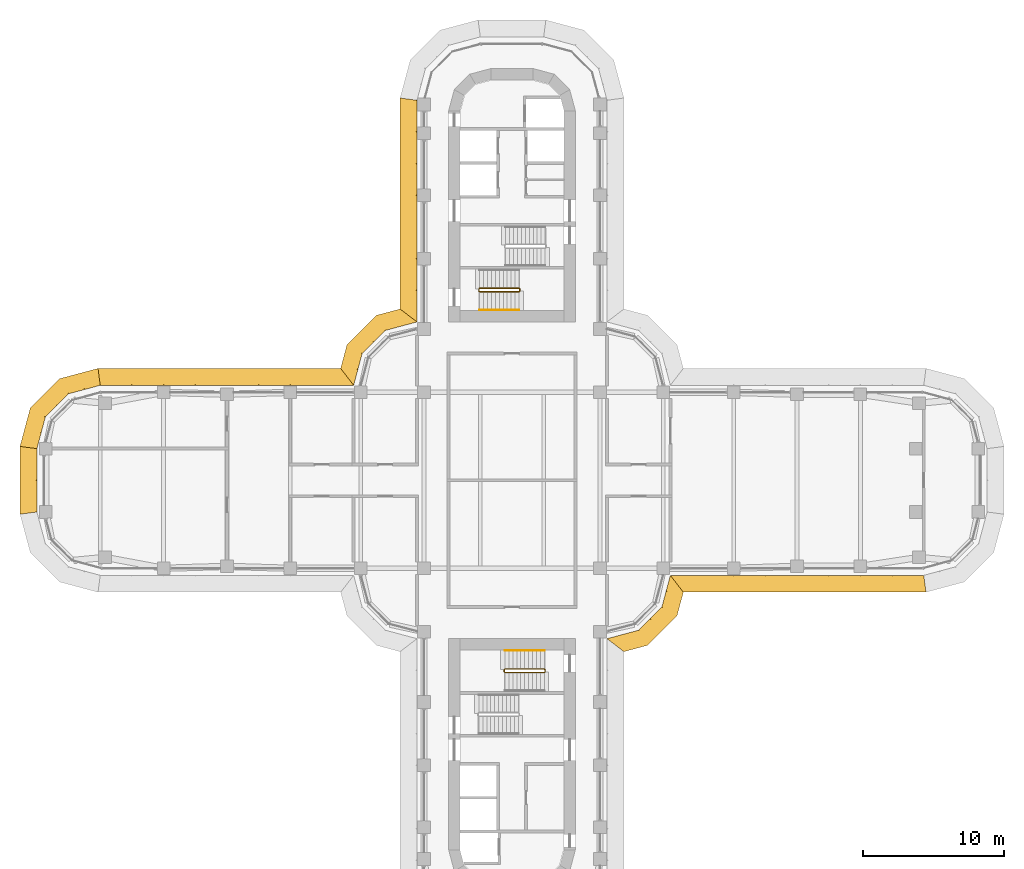
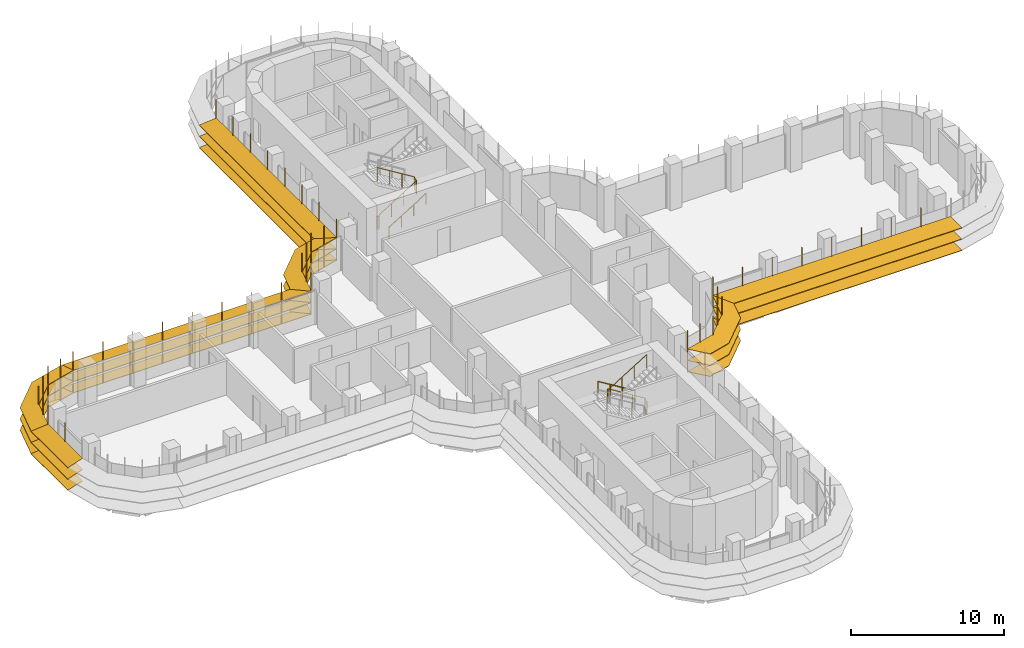
# One storey, part 19 of 21: 7 shading devices, 4 railings.
"""IFC4 building model written with IfcOpenShell, lengths in metres."""

from ifc_helpers import new_model, si_unit, direction, frame, origin, origin_2d, place, context, subcontext, project, spatial, polyline, circle, outline, extrude, faceted_brep, source, transform, mapped, material, type_object, element, save


model = new_model("IFC4")

# Units and contexts
model_context = context("Model", 3, precision=1e-05, world=origin(), true_north=direction((0.0, 1.0)))
body_context = subcontext(model_context, "Body", "Model", "MODEL_VIEW")
ifc_project = project(units=[si_unit("LENGTHUNIT", "METRE"), si_unit("AREAUNIT", "SQUARE_METRE"), si_unit("VOLUMEUNIT", "CUBIC_METRE"), si_unit("PLANEANGLEUNIT", "RADIAN"), si_unit("MASSUNIT", "GRAM", prefix="KILO")], contexts=[model_context])

# Site, building, storey
site_placement = place(None, origin())
site = spatial("IfcSite", under=ifc_project, at=site_placement, CompositionType="ELEMENT")
building_placement = place(site_placement, origin())
building = spatial("IfcBuilding", under=site, at=building_placement, Name="Zarbagh Exchange Tower", CompositionType="ELEMENT")
storey_placement = place(building_placement, frame((0.0, 0.0, 117.0)))
storey = spatial("IfcBuildingStorey", under=building, at=storey_placement, Name="L27", CompositionType="ELEMENT", Elevation=117.0)

# Railings
ifc_material_1 = material(Name="Stainless steel", Category="steel")
railing_type_1 = type_object("IfcRailingType", Name="Stair guard 1100 mm", PredefinedType="GUARDRAIL", material=ifc_material_1)
railing_1_placement = place(storey_placement, frame((-2.35009765625, 13.60009765625, 0.0)))
element("IfcRailing", 1, at=railing_1_placement, inside=storey, type_object=railing_type_1, Name="ST2 stair guard 1", PredefinedType="GUARDRAIL", context=body_context, shape_type="SweptSolid", body=[
    extrude(circle(Radius=0.02392578125, at=origin_2d()), frame((0.0, 0.0, 1.076171875), z_axis=(0.0, -1.0, 0.0), x_axis=(1.0, 0.0, 0.0)), (0.0, 0.0, 1.0), 0.150146484375),
    extrude(circle(Radius=0.02392578125, at=origin_2d()), frame((0.0, -0.150146484375, 1.076171875), z_axis=(0.268277960024, -0.268277960024, 0.925231793839), x_axis=(0.707106781187, 0.707106781187, 0.0)), (0.0, 0.0, 1.0), 0.1865234375),
    extrude(circle(Radius=0.02392578125, at=origin_2d()), frame((0.050048828125, -0.2001953125, 1.24853515625), z_axis=(0.851089632645, 0.0, 0.525020415988), x_axis=(0.0, 1.0, 0.0)), (0.0, 0.0, 1.0), 3.2900390625),
    extrude(circle(Radius=0.02392578125, at=origin_2d()), frame((2.85009765625, -0.2001953125, 2.97607421875), z_axis=(0.707106781187, 0.707106781187, 0.0), x_axis=(-0.707106781187, 0.707106781187, 0.0)), (0.0, 0.0, 1.0), 0.07080078125),
    extrude(circle(Radius=0.02392578125, at=origin_2d()), frame((2.900146484375, -0.150146484375, 2.97607421875), z_axis=(0.0, 1.0, 0.0), x_axis=(-1.0, 0.0, 0.0)), (0.0, 0.0, 1.0), 0.150146484375),
    extrude(circle(Radius=0.02392578125, at=origin_2d()), frame((2.900146484375, 0.0, 2.97607421875), z_axis=(-0.268047150085, 0.266739603011, 0.925743328097), x_axis=(-0.705375805398, -0.708833529934, 0.0)), (0.0, 0.0, 1.0), 0.186767578125),
    extrude(circle(Radius=0.02392578125, at=origin_2d()), frame((2.85009765625, 0.0498046875, 3.14892578125), z_axis=(-0.851089632645, 0.0, 0.525020415988), x_axis=(0.0, -1.0, 0.0)), (0.0, 0.0, 1.0), 3.2900390625),
    extrude(circle(Radius=0.02099609375, at=origin_2d()), origin(), (0.0, 0.0, 1.0), 1.052001953125),
    extrude(circle(Radius=0.02099609375, at=origin_2d()), frame((0.0, -0.150146484375, 0.0)), (0.0, 0.0, 1.0), 1.052001953125),
    extrude(circle(Radius=0.02099609375, at=origin_2d()), frame((0.050048828125, -0.2001953125, 0.172607421875)), (0.0, 0.0, 1.0), 1.052001953125),
    extrude(circle(Radius=0.02099609375, at=origin_2d()), frame((0.9833984375, -0.2001953125, 0.748291015625)), (0.0, 0.0, 1.0), 1.052001953125),
    extrude(circle(Radius=0.02099609375, at=origin_2d()), frame((1.916748046875, -0.2001953125, 1.32421875)), (0.0, 0.0, 1.0), 1.052001953125),
    extrude(circle(Radius=0.02099609375, at=origin_2d()), frame((2.85009765625, -0.2001953125, 1.89990234375)), (0.0, 0.0, 1.0), 1.052001953125),
    extrude(circle(Radius=0.02099609375, at=origin_2d()), frame((2.900146484375, -0.150146484375, 1.89990234375)), (0.0, 0.0, 1.0), 1.052001953125),
    extrude(circle(Radius=0.02099609375, at=origin_2d()), frame((2.900146484375, 0.0, 1.89990234375)), (0.0, 0.0, 1.0), 1.052001953125),
    extrude(circle(Radius=0.02099609375, at=origin_2d()), frame((2.85009765625, 0.0498046875, 2.07275390625)), (0.0, 0.0, 1.0), 1.052001953125),
    extrude(circle(Radius=0.02099609375, at=origin_2d()), frame((1.916748046875, 0.0498046875, 2.6484375)), (0.0, 0.0, 1.0), 1.052001953125),
    extrude(circle(Radius=0.02099609375, at=origin_2d()), frame((0.9833984375, 0.0498046875, 3.224365234375)), (0.0, 0.0, 1.0), 1.052001953125),
    extrude(circle(Radius=0.02099609375, at=origin_2d()), frame((0.050048828125, 0.0498046875, 3.800048828125)), (0.0, 0.0, 1.0), 1.052001953125),
])
railing_2_placement = place(storey_placement, frame((2.35009765625, -13.60009765625, 0.0)))
element("IfcRailing", 2, at=railing_2_placement, inside=storey, type_object=railing_type_1, Name="ST4 stair guard 1", PredefinedType="GUARDRAIL", context=body_context, shape_type="SweptSolid", body=[
    extrude(circle(Radius=0.02392578125, at=origin_2d()), frame((0.0, 0.0, 1.076171875), z_axis=(0.0, 1.0, 0.0), x_axis=(-1.0, 0.0, 0.0)), (0.0, 0.0, 1.0), 0.150146484375),
    extrude(circle(Radius=0.02392578125, at=origin_2d()), frame((0.0, 0.150146484375, 1.076171875), z_axis=(-0.268277960024, 0.268277960024, 0.925231793839), x_axis=(-0.707106781187, -0.707106781187, 0.0)), (0.0, 0.0, 1.0), 0.1865234375),
    extrude(circle(Radius=0.02392578125, at=origin_2d()), frame((-0.050048828125, 0.2001953125, 1.24853515625), z_axis=(-0.851089632645, 0.0, 0.525020415988), x_axis=(0.0, -1.0, 0.0)), (0.0, 0.0, 1.0), 3.2900390625),
    extrude(circle(Radius=0.02392578125, at=origin_2d()), frame((-2.85009765625, 0.2001953125, 2.97607421875), z_axis=(-0.707106781187, -0.707106781187, 0.0), x_axis=(0.707106781187, -0.707106781187, 0.0)), (0.0, 0.0, 1.0), 0.07080078125),
    extrude(circle(Radius=0.02392578125, at=origin_2d()), frame((-2.900146484375, 0.150146484375, 2.97607421875), z_axis=(0.0, -1.0, 0.0), x_axis=(1.0, 0.0, 0.0)), (0.0, 0.0, 1.0), 0.150146484375),
    extrude(circle(Radius=0.02392578125, at=origin_2d()), frame((-2.900146484375, 0.0, 2.97607421875), z_axis=(0.268047150085, -0.266739603011, 0.925743328097), x_axis=(0.705375805398, 0.708833529934, 0.0)), (0.0, 0.0, 1.0), 0.186767578125),
    extrude(circle(Radius=0.02392578125, at=origin_2d()), frame((-2.85009765625, -0.0498046875, 3.14892578125), z_axis=(0.851089632645, 0.0, 0.525020415988), x_axis=(0.0, 1.0, 0.0)), (0.0, 0.0, 1.0), 3.2900390625),
    extrude(circle(Radius=0.02099609375, at=origin_2d()), origin(), (0.0, 0.0, 1.0), 1.052001953125),
    extrude(circle(Radius=0.02099609375, at=origin_2d()), frame((0.0, 0.150146484375, 0.0)), (0.0, 0.0, 1.0), 1.052001953125),
    extrude(circle(Radius=0.02099609375, at=origin_2d()), frame((-0.050048828125, 0.2001953125, 0.172607421875)), (0.0, 0.0, 1.0), 1.052001953125),
    extrude(circle(Radius=0.02099609375, at=origin_2d()), frame((-0.9833984375, 0.2001953125, 0.748291015625)), (0.0, 0.0, 1.0), 1.052001953125),
    extrude(circle(Radius=0.02099609375, at=origin_2d()), frame((-1.916748046875, 0.2001953125, 1.32421875)), (0.0, 0.0, 1.0), 1.052001953125),
    extrude(circle(Radius=0.02099609375, at=origin_2d()), frame((-2.85009765625, 0.2001953125, 1.89990234375)), (0.0, 0.0, 1.0), 1.052001953125),
    extrude(circle(Radius=0.02099609375, at=origin_2d()), frame((-2.900146484375, 0.150146484375, 1.89990234375)), (0.0, 0.0, 1.0), 1.052001953125),
    extrude(circle(Radius=0.02099609375, at=origin_2d()), frame((-2.900146484375, 0.0, 1.89990234375)), (0.0, 0.0, 1.0), 1.052001953125),
    extrude(circle(Radius=0.02099609375, at=origin_2d()), frame((-2.85009765625, -0.0498046875, 2.07275390625)), (0.0, 0.0, 1.0), 1.052001953125),
    extrude(circle(Radius=0.02099609375, at=origin_2d()), frame((-1.916748046875, -0.0498046875, 2.6484375)), (0.0, 0.0, 1.0), 1.052001953125),
    extrude(circle(Radius=0.02099609375, at=origin_2d()), frame((-0.9833984375, -0.0498046875, 3.224365234375)), (0.0, 0.0, 1.0), 1.052001953125),
    extrude(circle(Radius=0.02099609375, at=origin_2d()), frame((-0.050048828125, -0.0498046875, 3.800048828125)), (0.0, 0.0, 1.0), 1.052001953125),
])
railing_type_2 = type_object("IfcRailingType", Name="Stair handrail 900 mm", PredefinedType="HANDRAIL", material=ifc_material_1)
railing_3_placement = place(storey_placement, frame((-2.300048828125, 12.10009765625, 0.172607421875)))
element("IfcRailing", 3, at=railing_3_placement, inside=storey, type_object=railing_type_2, Name="ST2 stair handrail 1", PredefinedType="HANDRAIL", context=body_context, shape_type="SweptSolid", body=[
    extrude(circle(Radius=0.02392578125, at=origin_2d()), frame((0.0, 0.0, 0.8759765625), z_axis=(0.851089632645, 0.0, 0.525020415988), x_axis=(0.0, 1.0, 0.0)), (0.0, 0.0, 1.0), 3.2900390625),
    extrude(circle(Radius=0.02099609375, at=origin_2d()), origin(), (0.0, 0.0, 1.0), 0.851806640625),
    extrude(circle(Radius=0.02099609375, at=origin_2d()), frame((0.933349609375, 0.0, 0.57568359375)), (0.0, 0.0, 1.0), 0.851806640625),
    extrude(circle(Radius=0.02099609375, at=origin_2d()), frame((1.86669921875, 0.0, 1.151611328125)), (0.0, 0.0, 1.0), 0.851806640625),
    extrude(circle(Radius=0.02099609375, at=origin_2d()), frame((2.800048828125, 0.0, 1.727294921875)), (0.0, 0.0, 1.0), 0.851806640625),
])
railing_4_placement = place(storey_placement, frame((2.300048828125, -12.10009765625, 0.172607421875)))
element("IfcRailing", 4, at=railing_4_placement, inside=storey, type_object=railing_type_2, Name="ST4 stair handrail 1", PredefinedType="HANDRAIL", context=body_context, shape_type="SweptSolid", body=[
    extrude(circle(Radius=0.02392578125, at=origin_2d()), frame((0.0, 0.0, 0.8759765625), z_axis=(-0.851089632645, 0.0, 0.525020415988), x_axis=(0.0, -1.0, 0.0)), (0.0, 0.0, 1.0), 3.2900390625),
    extrude(circle(Radius=0.02099609375, at=origin_2d()), origin(), (0.0, 0.0, 1.0), 0.851806640625),
    extrude(circle(Radius=0.02099609375, at=origin_2d()), frame((-0.933349609375, 0.0, 0.57568359375)), (0.0, 0.0, 1.0), 0.851806640625),
    extrude(circle(Radius=0.02099609375, at=origin_2d()), frame((-1.86669921875, 0.0, 1.151611328125)), (0.0, 0.0, 1.0), 0.851806640625),
    extrude(circle(Radius=0.02099609375, at=origin_2d()), frame((-2.800048828125, 0.0, 1.727294921875)), (0.0, 0.0, 1.0), 0.851806640625),
])

# Shading devices
ifc_material_2 = material(Name="Anodised aluminium blades and brackets", Category="aluminium")
shading_device_type = type_object("IfcShadingDeviceType", Name="SUNSHADE louvre band, 11.25 degree blades", PredefinedType="JALOUSIE", material=ifc_material_2)
shared_shape_1 = source(origin(), body_context, "Body", "Brep", [
    faceted_brep([(0.0, 0.0, 0.0), (0.0, 0.0, -0.040771484375), (-0.157958984375, -1.199951171875, -0.279541015625), (-0.157958984375, -1.199951171875, -0.23876953125), (2.65087890625, -1.199951171875, -0.23876953125), (2.65087890625, -1.199951171875, -0.279541015625), (2.329345703125, 0.0, -0.040771484375), (2.329345703125, 0.0, 0.0)], [[[0, 1, 2, 3]], [[4, 5, 6, 7]], [[0, 7, 6, 1]], [[1, 6, 5, 2]], [[2, 5, 4, 3]], [[3, 4, 7, 0]]]),
])
shared_shape_2 = source(origin(), body_context, "Body", "Brep", [
    faceted_brep([(0.0, 0.0, 0.0), (0.0, 0.0, -0.040771484375), (-0.321533203125, -1.199951171875, -0.279541015625), (-0.321533203125, -1.199951171875, -0.23876953125), (2.65087890625, -1.199951171875, -0.23876953125), (2.65087890625, -1.199951171875, -0.279541015625), (2.329345703125, 0.0, -0.040771484375), (2.329345703125, 0.0, 0.0)], [[[0, 1, 2, 3]], [[4, 5, 6, 7]], [[0, 7, 6, 1]], [[1, 6, 5, 2]], [[2, 5, 4, 3]], [[3, 4, 7, 0]]]),
])
shared_shape_3 = source(origin(), body_context, "Body", "Brep", [
    faceted_brep([(0.0, 0.0, 0.0), (0.0, 0.0, -0.040771484375), (-0.321533203125, -1.199951171875, -0.279541015625), (-0.321533203125, -1.199951171875, -0.23876953125), (2.4873046875, -1.199951171875, -0.23876953125), (2.4873046875, -1.199951171875, -0.279541015625), (2.329345703125, 0.0, -0.040771484375), (2.329345703125, 0.0, 0.0)], [[[0, 1, 2, 3]], [[4, 5, 6, 7]], [[0, 7, 6, 1]], [[1, 6, 5, 2]], [[2, 5, 4, 3]], [[3, 4, 7, 0]]]),
])
shared_shape_4 = source(origin(), body_context, "Body", "SweptSolid", [
    extrude(outline(polyline([(0.0, -0.012451171875), (0.06005859375, -0.012451171875), (0.06005859375, 0.012451171875), (0.0, 0.012451171875), (0.0, -0.012451171875)])), origin(), (0.0, 0.0, 1.0), 3.350830078125),
])
placement = place(storey_placement, origin())
element("IfcShadingDevice", 5, at=placement, inside=storey, type_object=shading_device_type, Name="SS17 sunshade band", PredefinedType="JALOUSIE", context=body_context, shape_type="MappedRepresentation", body=[
    mapped(shared_shape_1, transform((-29.25, 6.75, 2.300048828125), x_axis=(-0.965924289636, -0.258824779902, 0.0), y_axis=(0.258824779902, -0.965924289636, 0.0), z_axis=(0.0, 0.0, 1.0))),
    mapped(shared_shape_1, transform((-29.25, 6.75, 1.39990234375), x_axis=(-0.965924289636, -0.258824779902, 0.0), y_axis=(0.258824779902, -0.965924289636, 0.0), z_axis=(0.0, 0.0, 1.0))),
    mapped(shared_shape_1, transform((-29.25, 6.75, 0.5), x_axis=(-0.965924289636, -0.258824779902, 0.0), y_axis=(0.258824779902, -0.965924289636, 0.0), z_axis=(0.0, 0.0, 1.0))),
    mapped(shared_shape_2, transform((-31.5, 6.147216796875, 2.300048828125), x_axis=(-0.707106781187, -0.707106781187, 0.0), y_axis=(0.707106781187, -0.707106781187, 0.0), z_axis=(0.0, 0.0, 1.0))),
    mapped(shared_shape_2, transform((-31.5, 6.147216796875, 1.39990234375), x_axis=(-0.707106781187, -0.707106781187, 0.0), y_axis=(0.707106781187, -0.707106781187, 0.0), z_axis=(0.0, 0.0, 1.0))),
    mapped(shared_shape_2, transform((-31.5, 6.147216796875, 0.5), x_axis=(-0.707106781187, -0.707106781187, 0.0), y_axis=(0.707106781187, -0.707106781187, 0.0), z_axis=(0.0, 0.0, 1.0))),
    mapped(shared_shape_3, transform((-33.147216796875, 4.5, 2.300048828125), x_axis=(-0.258824779902, -0.965924289636, 0.0), y_axis=(0.965924289636, -0.258824779902, 0.0), z_axis=(0.0, 0.0, 1.0))),
    mapped(shared_shape_3, transform((-33.147216796875, 4.5, 1.39990234375), x_axis=(-0.258824779902, -0.965924289636, 0.0), y_axis=(0.965924289636, -0.258824779902, 0.0), z_axis=(0.0, 0.0, 1.0))),
    mapped(shared_shape_3, transform((-33.147216796875, 4.5, 0.5), x_axis=(-0.258824779902, -0.965924289636, 0.0), y_axis=(0.965924289636, -0.258824779902, 0.0), z_axis=(0.0, 0.0, 1.0))),
    mapped(shared_shape_4, transform((-29.25, 6.75, 0.42919921875), x_axis=(-0.130529263012, 0.991444457092, 0.0), y_axis=(-0.991444457092, -0.130529263012, 0.0), z_axis=(0.0, 0.0, 1.0))),
    mapped(shared_shape_4, transform((-30.375, 6.448486328125, 0.42919921875), x_axis=(-0.258825058029, 0.96592421511, 0.0), y_axis=(-0.96592421511, -0.258825058029, 0.0), z_axis=(0.0, 0.0, 1.0))),
    mapped(shared_shape_4, transform((-31.5, 6.147216796875, 0.42919921875), x_axis=(-0.50000275701, 0.866023812018, 0.0), y_axis=(-0.866023812018, -0.50000275701, 0.0), z_axis=(0.0, 0.0, 1.0))),
    mapped(shared_shape_4, transform((-32.323486328125, 5.323486328125, 0.42919921875), x_axis=(-0.707106781187, 0.707106781187, 0.0), y_axis=(-0.707106781187, -0.707106781187, 0.0), z_axis=(0.0, 0.0, 1.0))),
    mapped(shared_shape_4, transform((-33.147216796875, 4.5, 0.42919921875), x_axis=(-0.866023812018, 0.50000275701, 0.0), y_axis=(-0.50000275701, -0.866023812018, 0.0), z_axis=(0.0, 0.0, 1.0))),
    mapped(shared_shape_4, transform((-33.448486328125, 3.375, 0.42919921875), x_axis=(-0.96592421511, 0.258825058029, 0.0), y_axis=(-0.258825058029, -0.96592421511, 0.0), z_axis=(0.0, 0.0, 1.0))),
])
shared_shape_5 = source(origin(), body_context, "Body", "Brep", [
    faceted_brep([(0.0, 0.0, 0.0), (0.0, 0.0, -0.040771484375), (0.9208984375, -1.199951171875, -0.279541015625), (0.9208984375, -1.199951171875, -0.23876953125), (2.65087890625, -1.199951171875, -0.23876953125), (2.65087890625, -1.199951171875, -0.279541015625), (2.329345703125, 0.0, -0.040771484375), (2.329345703125, 0.0, 0.0)], [[[0, 1, 2, 3]], [[4, 5, 6, 7]], [[0, 7, 6, 1]], [[1, 6, 5, 2]], [[2, 5, 4, 3]], [[3, 4, 7, 0]]]),
])
shared_shape_6 = source(origin(), body_context, "Body", "Brep", [
    faceted_brep([(0.0, 0.0, 0.0), (0.0, 0.0, -0.040771484375), (-0.321533203125, -1.199951171875, -0.279541015625), (-0.321533203125, -1.199951171875, -0.23876953125), (1.40869140625, -1.199951171875, -0.23876953125), (1.40869140625, -1.199951171875, -0.279541015625), (2.329345703125, 0.0, -0.040771484375), (2.329345703125, 0.0, 0.0)], [[[0, 1, 2, 3]], [[4, 5, 6, 7]], [[0, 7, 6, 1]], [[1, 6, 5, 2]], [[2, 5, 4, 3]], [[3, 4, 7, 0]]]),
])
element("IfcShadingDevice", 6, at=placement, inside=storey, type_object=shading_device_type, Name="SS03 sunshade band", PredefinedType="JALOUSIE", context=body_context, shape_type="MappedRepresentation", body=[
    mapped(shared_shape_5, transform((6.75, -11.25, 2.300048828125), x_axis=(0.965924289636, 0.258824779902, 0.0), y_axis=(-0.258824779902, 0.965924289636, 0.0), z_axis=(0.0, 0.0, 1.0))),
    mapped(shared_shape_5, transform((6.75, -11.25, 1.39990234375), x_axis=(0.965924289636, 0.258824779902, 0.0), y_axis=(-0.258824779902, 0.965924289636, 0.0), z_axis=(0.0, 0.0, 1.0))),
    mapped(shared_shape_5, transform((6.75, -11.25, 0.5), x_axis=(0.965924289636, 0.258824779902, 0.0), y_axis=(-0.258824779902, 0.965924289636, 0.0), z_axis=(0.0, 0.0, 1.0))),
    mapped(shared_shape_2, transform((9.0, -10.647216796875, 2.300048828125), x_axis=(0.707106781187, 0.707106781187, 0.0), y_axis=(-0.707106781187, 0.707106781187, 0.0), z_axis=(0.0, 0.0, 1.0))),
    mapped(shared_shape_2, transform((9.0, -10.647216796875, 1.39990234375), x_axis=(0.707106781187, 0.707106781187, 0.0), y_axis=(-0.707106781187, 0.707106781187, 0.0), z_axis=(0.0, 0.0, 1.0))),
    mapped(shared_shape_2, transform((9.0, -10.647216796875, 0.5), x_axis=(0.707106781187, 0.707106781187, 0.0), y_axis=(-0.707106781187, 0.707106781187, 0.0), z_axis=(0.0, 0.0, 1.0))),
    mapped(shared_shape_6, transform((10.647216796875, -9.0, 2.300048828125), x_axis=(0.258824779902, 0.965924289636, 0.0), y_axis=(-0.965924289636, 0.258824779902, 0.0), z_axis=(0.0, 0.0, 1.0))),
    mapped(shared_shape_6, transform((10.647216796875, -9.0, 1.39990234375), x_axis=(0.258824779902, 0.965924289636, 0.0), y_axis=(-0.965924289636, 0.258824779902, 0.0), z_axis=(0.0, 0.0, 1.0))),
    mapped(shared_shape_6, transform((10.647216796875, -9.0, 0.5), x_axis=(0.258824779902, 0.965924289636, 0.0), y_axis=(-0.965924289636, 0.258824779902, 0.0), z_axis=(0.0, 0.0, 1.0))),
    mapped(shared_shape_4, transform((6.75, -11.25, 0.42919921875), x_axis=(0.793355287, -0.608758892, 0.0), y_axis=(0.608758892, 0.793355287, 0.0), z_axis=(0.0, 0.0, 1.0))),
    mapped(shared_shape_4, transform((7.875, -10.948486328125, 0.42919921875), x_axis=(0.258825058029, -0.96592421511, 0.0), y_axis=(0.96592421511, 0.258825058029, 0.0), z_axis=(0.0, 0.0, 1.0))),
    mapped(shared_shape_4, transform((9.0, -10.647216796875, 0.42919921875), x_axis=(0.50000275701, -0.866023812018, 0.0), y_axis=(0.866023812018, 0.50000275701, 0.0), z_axis=(0.0, 0.0, 1.0))),
    mapped(shared_shape_4, transform((9.823486328125, -9.823486328125, 0.42919921875), x_axis=(0.707106781187, -0.707106781187, 0.0), y_axis=(0.707106781187, 0.707106781187, 0.0), z_axis=(0.0, 0.0, 1.0))),
    mapped(shared_shape_4, transform((10.647216796875, -9.0, 0.42919921875), x_axis=(0.866023812018, -0.50000275701, 0.0), y_axis=(0.50000275701, 0.866023812018, 0.0), z_axis=(0.0, 0.0, 1.0))),
    mapped(shared_shape_4, transform((10.948486328125, -7.875, 0.42919921875), x_axis=(0.96592421511, -0.258825058029, 0.0), y_axis=(0.258825058029, 0.96592421511, 0.0), z_axis=(0.0, 0.0, 1.0))),
])
element("IfcShadingDevice", 7, at=placement, inside=storey, type_object=shading_device_type, Name="SS15 sunshade band", PredefinedType="JALOUSIE", context=body_context, shape_type="MappedRepresentation", body=[
    mapped(shared_shape_5, transform((-6.75, 11.25, 2.300048828125), x_axis=(-0.965924289636, -0.258824779902, 0.0), y_axis=(0.258824779902, -0.965924289636, 0.0), z_axis=(0.0, 0.0, 1.0))),
    mapped(shared_shape_5, transform((-6.75, 11.25, 1.39990234375), x_axis=(-0.965924289636, -0.258824779902, 0.0), y_axis=(0.258824779902, -0.965924289636, 0.0), z_axis=(0.0, 0.0, 1.0))),
    mapped(shared_shape_5, transform((-6.75, 11.25, 0.5), x_axis=(-0.965924289636, -0.258824779902, 0.0), y_axis=(0.258824779902, -0.965924289636, 0.0), z_axis=(0.0, 0.0, 1.0))),
    mapped(shared_shape_2, transform((-9.0, 10.647216796875, 2.300048828125), x_axis=(-0.707106781187, -0.707106781187, 0.0), y_axis=(0.707106781187, -0.707106781187, 0.0), z_axis=(0.0, 0.0, 1.0))),
    mapped(shared_shape_2, transform((-9.0, 10.647216796875, 1.39990234375), x_axis=(-0.707106781187, -0.707106781187, 0.0), y_axis=(0.707106781187, -0.707106781187, 0.0), z_axis=(0.0, 0.0, 1.0))),
    mapped(shared_shape_2, transform((-9.0, 10.647216796875, 0.5), x_axis=(-0.707106781187, -0.707106781187, 0.0), y_axis=(0.707106781187, -0.707106781187, 0.0), z_axis=(0.0, 0.0, 1.0))),
    mapped(shared_shape_6, transform((-10.647216796875, 9.0, 2.300048828125), x_axis=(-0.258824779902, -0.965924289636, 0.0), y_axis=(0.965924289636, -0.258824779902, 0.0), z_axis=(0.0, 0.0, 1.0))),
    mapped(shared_shape_6, transform((-10.647216796875, 9.0, 1.39990234375), x_axis=(-0.258824779902, -0.965924289636, 0.0), y_axis=(0.965924289636, -0.258824779902, 0.0), z_axis=(0.0, 0.0, 1.0))),
    mapped(shared_shape_6, transform((-10.647216796875, 9.0, 0.5), x_axis=(-0.258824779902, -0.965924289636, 0.0), y_axis=(0.965924289636, -0.258824779902, 0.0), z_axis=(0.0, 0.0, 1.0))),
    mapped(shared_shape_4, transform((-6.75, 11.25, 0.42919921875), x_axis=(-0.793355287, 0.608758892, 0.0), y_axis=(-0.608758892, -0.793355287, 0.0), z_axis=(0.0, 0.0, 1.0))),
    mapped(shared_shape_4, transform((-7.875, 10.948486328125, 0.42919921875), x_axis=(-0.258825058029, 0.96592421511, 0.0), y_axis=(-0.96592421511, -0.258825058029, 0.0), z_axis=(0.0, 0.0, 1.0))),
    mapped(shared_shape_4, transform((-9.0, 10.647216796875, 0.42919921875), x_axis=(-0.50000275701, 0.866023812018, 0.0), y_axis=(-0.866023812018, -0.50000275701, 0.0), z_axis=(0.0, 0.0, 1.0))),
    mapped(shared_shape_4, transform((-9.823486328125, 9.823486328125, 0.42919921875), x_axis=(-0.707106781187, 0.707106781187, 0.0), y_axis=(-0.707106781187, -0.707106781187, 0.0), z_axis=(0.0, 0.0, 1.0))),
    mapped(shared_shape_4, transform((-10.647216796875, 9.0, 0.42919921875), x_axis=(-0.866023812018, 0.50000275701, 0.0), y_axis=(-0.50000275701, -0.866023812018, 0.0), z_axis=(0.0, 0.0, 1.0))),
    mapped(shared_shape_4, transform((-10.948486328125, 7.875, 0.42919921875), x_axis=(-0.96592421511, 0.258825058029, 0.0), y_axis=(-0.258825058029, -0.96592421511, 0.0), z_axis=(0.0, 0.0, 1.0))),
])
shared_shape_7 = source(origin(), body_context, "Body", "Brep", [
    faceted_brep([(0.0, 0.0, 0.0), (0.0, 0.0, -0.040771484375), (0.9208984375, -1.199951171875, -0.279541015625), (0.9208984375, -1.199951171875, -0.23876953125), (18.157958984375, -1.199951171875, -0.23876953125), (18.157958984375, -1.199951171875, -0.279541015625), (18.0, 0.0, -0.040771484375), (18.0, 0.0, 0.0)], [[[0, 1, 2, 3]], [[4, 5, 6, 7]], [[0, 7, 6, 1]], [[1, 6, 5, 2]], [[2, 5, 4, 3]], [[3, 4, 7, 0]]]),
])
element("IfcShadingDevice", 8, at=placement, inside=storey, type_object=shading_device_type, Name="SS04 sunshade band", PredefinedType="JALOUSIE", context=body_context, shape_type="MappedRepresentation", body=[
    mapped(shared_shape_7, transform((11.25, -6.75, 2.300048828125), x_axis=(1.0, 0.0, 0.0), y_axis=(0.0, 1.0, 0.0), z_axis=(0.0, 0.0, 1.0))),
    mapped(shared_shape_7, transform((11.25, -6.75, 1.39990234375), x_axis=(1.0, 0.0, 0.0), y_axis=(0.0, 1.0, 0.0), z_axis=(0.0, 0.0, 1.0))),
    mapped(shared_shape_7, transform((11.25, -6.75, 0.5), x_axis=(1.0, 0.0, 0.0), y_axis=(0.0, 1.0, 0.0), z_axis=(0.0, 0.0, 1.0))),
    mapped(shared_shape_4, transform((11.25, -6.75, 0.42919921875), x_axis=(0.608758892, -0.793355287, 0.0), y_axis=(0.793355287, 0.608758892, 0.0), z_axis=(0.0, 0.0, 1.0))),
    mapped(shared_shape_4, transform((13.5, -6.75, 0.42919921875), x_axis=(0.0, -1.0, 0.0), y_axis=(1.0, 0.0, 0.0), z_axis=(0.0, 0.0, 1.0))),
    mapped(shared_shape_4, transform((15.75, -6.75, 0.42919921875), x_axis=(0.0, -1.0, 0.0), y_axis=(1.0, 0.0, 0.0), z_axis=(0.0, 0.0, 1.0))),
    mapped(shared_shape_4, transform((18.0, -6.75, 0.42919921875), x_axis=(0.0, -1.0, 0.0), y_axis=(1.0, 0.0, 0.0), z_axis=(0.0, 0.0, 1.0))),
    mapped(shared_shape_4, transform((20.25, -6.75, 0.42919921875), x_axis=(0.0, -1.0, 0.0), y_axis=(1.0, 0.0, 0.0), z_axis=(0.0, 0.0, 1.0))),
    mapped(shared_shape_4, transform((22.5, -6.75, 0.42919921875), x_axis=(0.0, -1.0, 0.0), y_axis=(1.0, 0.0, 0.0), z_axis=(0.0, 0.0, 1.0))),
    mapped(shared_shape_4, transform((24.75, -6.75, 0.42919921875), x_axis=(0.0, -1.0, 0.0), y_axis=(1.0, 0.0, 0.0), z_axis=(0.0, 0.0, 1.0))),
    mapped(shared_shape_4, transform((27.0, -6.75, 0.42919921875), x_axis=(0.0, -1.0, 0.0), y_axis=(1.0, 0.0, 0.0), z_axis=(0.0, 0.0, 1.0))),
])
shared_shape_8 = source(origin(), body_context, "Body", "Brep", [
    faceted_brep([(0.0, 0.0, 0.0), (0.0, 0.0, -0.040771484375), (-0.157958984375, -1.199951171875, -0.279541015625), (-0.157958984375, -1.199951171875, -0.23876953125), (14.8291015625, -1.199951171875, -0.23876953125), (14.8291015625, -1.199951171875, -0.279541015625), (15.75, 0.0, -0.040771484375), (15.75, 0.0, 0.0)], [[[0, 1, 2, 3]], [[4, 5, 6, 7]], [[0, 7, 6, 1]], [[1, 6, 5, 2]], [[2, 5, 4, 3]], [[3, 4, 7, 0]]]),
])
element("IfcShadingDevice", 9, at=placement, inside=storey, type_object=shading_device_type, Name="SS29 sunshade band", PredefinedType="JALOUSIE", context=body_context, shape_type="MappedRepresentation", body=[
    mapped(shared_shape_8, transform((-6.75, 27.0, 2.300048828125), x_axis=(0.0, -1.0, 0.0), y_axis=(1.0, 0.0, 0.0), z_axis=(0.0, 0.0, 1.0))),
    mapped(shared_shape_8, transform((-6.75, 27.0, 1.39990234375), x_axis=(0.0, -1.0, 0.0), y_axis=(1.0, 0.0, 0.0), z_axis=(0.0, 0.0, 1.0))),
    mapped(shared_shape_8, transform((-6.75, 27.0, 0.5), x_axis=(0.0, -1.0, 0.0), y_axis=(1.0, 0.0, 0.0), z_axis=(0.0, 0.0, 1.0))),
    mapped(shared_shape_4, transform((-6.75, 27.0, 0.42919921875), x_axis=(-0.991444457092, 0.130529263012, 0.0), y_axis=(-0.130529263012, -0.991444457092, 0.0), z_axis=(0.0, 0.0, 1.0))),
    mapped(shared_shape_4, transform((-6.75, 24.75, 0.42919921875), x_axis=(-1.0, 0.0, 0.0), y_axis=(0.0, -1.0, 0.0), z_axis=(0.0, 0.0, 1.0))),
    mapped(shared_shape_4, transform((-6.75, 22.5, 0.42919921875), x_axis=(-1.0, 0.0, 0.0), y_axis=(0.0, -1.0, 0.0), z_axis=(0.0, 0.0, 1.0))),
    mapped(shared_shape_4, transform((-6.75, 20.25, 0.42919921875), x_axis=(-1.0, 0.0, 0.0), y_axis=(0.0, -1.0, 0.0), z_axis=(0.0, 0.0, 1.0))),
    mapped(shared_shape_4, transform((-6.75, 18.0, 0.42919921875), x_axis=(-1.0, 0.0, 0.0), y_axis=(0.0, -1.0, 0.0), z_axis=(0.0, 0.0, 1.0))),
    mapped(shared_shape_4, transform((-6.75, 15.75, 0.42919921875), x_axis=(-1.0, 0.0, 0.0), y_axis=(0.0, -1.0, 0.0), z_axis=(0.0, 0.0, 1.0))),
    mapped(shared_shape_4, transform((-6.75, 13.5, 0.42919921875), x_axis=(-1.0, 0.0, 0.0), y_axis=(0.0, -1.0, 0.0), z_axis=(0.0, 0.0, 1.0))),
])
element("IfcShadingDevice", 10, at=placement, inside=storey, type_object=shading_device_type, Name="SS16 sunshade band", PredefinedType="JALOUSIE", context=body_context, shape_type="MappedRepresentation", body=[
    mapped(shared_shape_7, transform((-11.25, 6.75, 2.300048828125), x_axis=(-1.0, 0.0, 0.0), y_axis=(0.0, -1.0, 0.0), z_axis=(0.0, 0.0, 1.0))),
    mapped(shared_shape_7, transform((-11.25, 6.75, 1.39990234375), x_axis=(-1.0, 0.0, 0.0), y_axis=(0.0, -1.0, 0.0), z_axis=(0.0, 0.0, 1.0))),
    mapped(shared_shape_7, transform((-11.25, 6.75, 0.5), x_axis=(-1.0, 0.0, 0.0), y_axis=(0.0, -1.0, 0.0), z_axis=(0.0, 0.0, 1.0))),
    mapped(shared_shape_4, transform((-11.25, 6.75, 0.42919921875), x_axis=(-0.608758892, 0.793355287, 0.0), y_axis=(-0.793355287, -0.608758892, 0.0), z_axis=(0.0, 0.0, 1.0))),
    mapped(shared_shape_4, transform((-13.5, 6.75, 0.42919921875), x_axis=(0.0, 1.0, 0.0), y_axis=(-1.0, 0.0, 0.0), z_axis=(0.0, 0.0, 1.0))),
    mapped(shared_shape_4, transform((-15.75, 6.75, 0.42919921875), x_axis=(0.0, 1.0, 0.0), y_axis=(-1.0, 0.0, 0.0), z_axis=(0.0, 0.0, 1.0))),
    mapped(shared_shape_4, transform((-18.0, 6.75, 0.42919921875), x_axis=(0.0, 1.0, 0.0), y_axis=(-1.0, 0.0, 0.0), z_axis=(0.0, 0.0, 1.0))),
    mapped(shared_shape_4, transform((-20.25, 6.75, 0.42919921875), x_axis=(0.0, 1.0, 0.0), y_axis=(-1.0, 0.0, 0.0), z_axis=(0.0, 0.0, 1.0))),
    mapped(shared_shape_4, transform((-22.5, 6.75, 0.42919921875), x_axis=(0.0, 1.0, 0.0), y_axis=(-1.0, 0.0, 0.0), z_axis=(0.0, 0.0, 1.0))),
    mapped(shared_shape_4, transform((-24.75, 6.75, 0.42919921875), x_axis=(0.0, 1.0, 0.0), y_axis=(-1.0, 0.0, 0.0), z_axis=(0.0, 0.0, 1.0))),
    mapped(shared_shape_4, transform((-27.0, 6.75, 0.42919921875), x_axis=(0.0, 1.0, 0.0), y_axis=(-1.0, 0.0, 0.0), z_axis=(0.0, 0.0, 1.0))),
])
shared_shape_9 = source(origin(), body_context, "Body", "Brep", [
    faceted_brep([(0.0, 0.0, 0.0), (0.0, 0.0, -0.040771484375), (-0.157958984375, -1.199951171875, -0.279541015625), (-0.157958984375, -1.199951171875, -0.23876953125), (4.657958984375, -1.199951171875, -0.23876953125), (4.657958984375, -1.199951171875, -0.279541015625), (4.5, 0.0, -0.040771484375), (4.5, 0.0, 0.0)], [[[0, 1, 2, 3]], [[4, 5, 6, 7]], [[0, 7, 6, 1]], [[1, 6, 5, 2]], [[2, 5, 4, 3]], [[3, 4, 7, 0]]]),
])
element("IfcShadingDevice", 11, at=placement, inside=storey, type_object=shading_device_type, Name="SS18 sunshade band", PredefinedType="JALOUSIE", context=body_context, shape_type="MappedRepresentation", body=[
    mapped(shared_shape_9, transform((-33.75, 2.25, 2.300048828125), x_axis=(0.0, -1.0, 0.0), y_axis=(1.0, 0.0, 0.0), z_axis=(0.0, 0.0, 1.0))),
    mapped(shared_shape_9, transform((-33.75, 2.25, 1.39990234375), x_axis=(0.0, -1.0, 0.0), y_axis=(1.0, 0.0, 0.0), z_axis=(0.0, 0.0, 1.0))),
    mapped(shared_shape_9, transform((-33.75, 2.25, 0.5), x_axis=(0.0, -1.0, 0.0), y_axis=(1.0, 0.0, 0.0), z_axis=(0.0, 0.0, 1.0))),
    mapped(shared_shape_4, transform((-33.75, 2.25, 0.42919921875), x_axis=(-0.991444457092, 0.130529263012, 0.0), y_axis=(-0.130529263012, -0.991444457092, 0.0), z_axis=(0.0, 0.0, 1.0))),
    mapped(shared_shape_4, transform((-33.75, 0.0, 0.42919921875), x_axis=(-1.0, 0.0, 0.0), y_axis=(0.0, -1.0, 0.0), z_axis=(0.0, 0.0, 1.0))),
])

save(model, "model.ifc")
